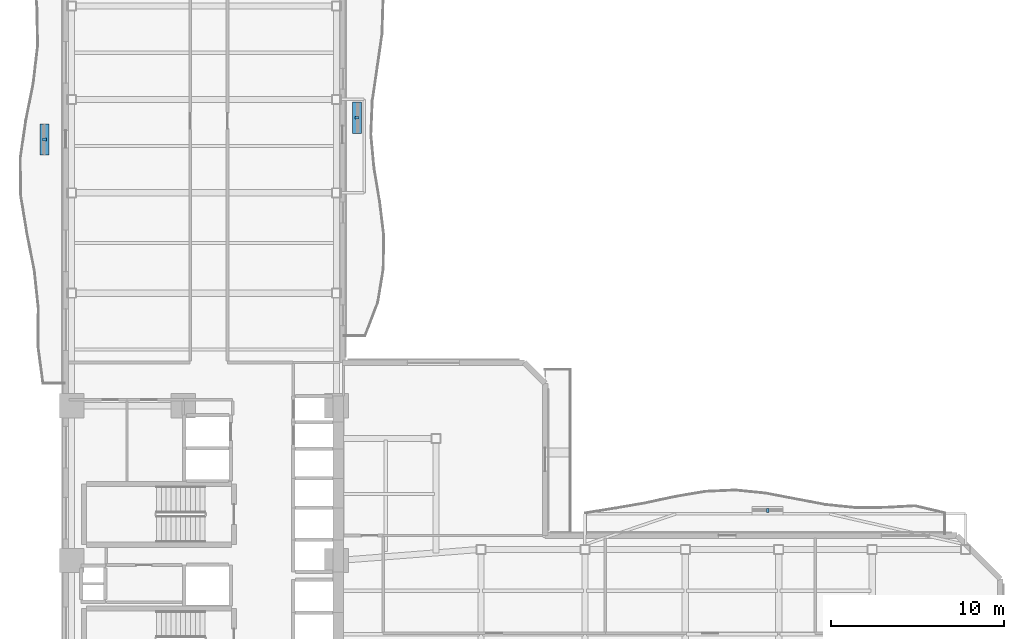
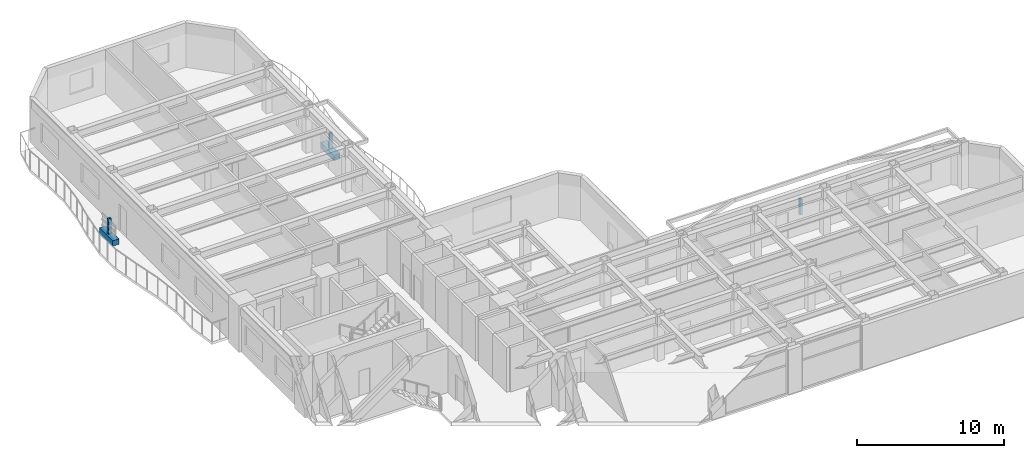
# One storey, part 13 of 17: 5 discrete accessories.
"""IFC4 building model written with IfcOpenShell, lengths in metres."""

from ifc_helpers import new_model, si_unit, direction, frame, origin, origin_2d, place, context, subcontext, project, spatial, rectangle, extrude, material, type_object, element, save


model = new_model("IFC4")

# Units and contexts
model_context = context("Model", 3, precision=1e-05, world=origin(), true_north=direction((0.0, 1.0)))
body_context = subcontext(model_context, "Body", "Model", "MODEL_VIEW")
ifc_project = project(units=[si_unit("LENGTHUNIT", "METRE"), si_unit("AREAUNIT", "SQUARE_METRE"), si_unit("VOLUMEUNIT", "CUBIC_METRE"), si_unit("PLANEANGLEUNIT", "RADIAN"), si_unit("MASSUNIT", "GRAM", prefix="KILO")], contexts=[model_context])

# Site, building, storey
site_placement = place(None, origin())
site = spatial("IfcSite", under=ifc_project, at=site_placement, CompositionType="ELEMENT")
building_placement = place(site_placement, origin())
building = spatial("IfcBuilding", under=site, at=building_placement, Name="Mawjaban Terraces University", CompositionType="ELEMENT")
storey_placement = place(building_placement, frame((0.0, 0.0, 70.0)))
storey = spatial("IfcBuildingStorey", under=building, at=storey_placement, Name="L16", CompositionType="ELEMENT", Elevation=70.0)

# Discrete accessories
ifc_material_1 = material(Name="Stainless steel 316L", Category="steel")
discrete_accessory_type_1 = type_object("IfcDiscreteAccessoryType", Name="FacadeScreenBracket_Steel", PredefinedType="BRACKET", material=ifc_material_1)
for number, where, z_axis, x_axis, name in (
    (1, (20.779052734375, 38.883056640625, 0.419921875), (0.0, 0.0, 1.0), (0.0, 1.0, 0.0), "L16 Balcony Screen Support Bracket west"),
    (2, (62.56005859375, 17.43994140625, 0.419921875), (0.0, 0.0, 1.0), (1.0, 0.0, 0.0), "L16 Balcony Screen Support Bracket inner_north"),
    (3, (38.8369140625, 40.139892578125, 0.419921875), (0.0, 0.0, 1.0), (0.0, 1.0, 0.0), "L16 Balcony Screen Support Bracket inner_east"),
):
    element("IfcDiscreteAccessory", number, at=place(storey_placement, frame(where, z_axis=z_axis, x_axis=x_axis)), inside=storey, type_object=discrete_accessory_type_1, Name=name, PredefinedType="BRACKET", context=body_context, shape_type="SweptSolid", body=[
        extrude(rectangle(XDim=0.159912109375, YDim=0.239990234375, at=origin_2d()), origin(), (0.0, 0.0, 1.0), 1.300048828125),
    ])
ifc_material_2 = material(Name="Precast architectural terracotta planter with engineered planting soil", Category="masonry")
discrete_accessory_type_2 = type_object("IfcDiscreteAccessoryType", Name="IrrigatedPlanterTrough_450", PredefinedType="USERDEFINED", material=ifc_material_2)
for number, where, z_axis, x_axis, name in (
    (4, (20.779052734375, 38.883056640625, -0.0048828125), (0.0, 0.0, 1.0), (0.0, 1.0, 0.0), "L16 Balcony Irrigated Planter west"),
    (5, (38.8369140625, 40.139892578125, -0.0048828125), (0.0, 0.0, 1.0), (0.0, 1.0, 0.0), "L16 Balcony Irrigated Planter inner_east"),
):
    element("IfcDiscreteAccessory", number, at=place(storey_placement, frame(where, z_axis=z_axis, x_axis=x_axis)), inside=storey, type_object=discrete_accessory_type_2, Name=name, ObjectType="PLANTER", PredefinedType="USERDEFINED", context=body_context, shape_type="SweptSolid", body=[
        extrude(rectangle(XDim=1.800048828125, YDim=0.5, at=origin_2d()), origin(), (0.0, 0.0, 1.0), 0.449951171875),
    ])

save(model, "model.ifc")
